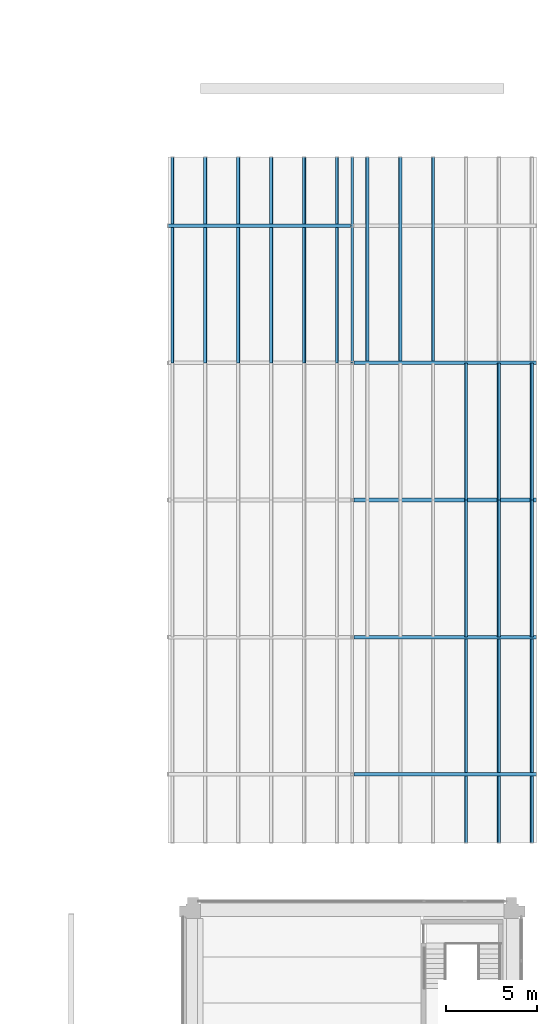
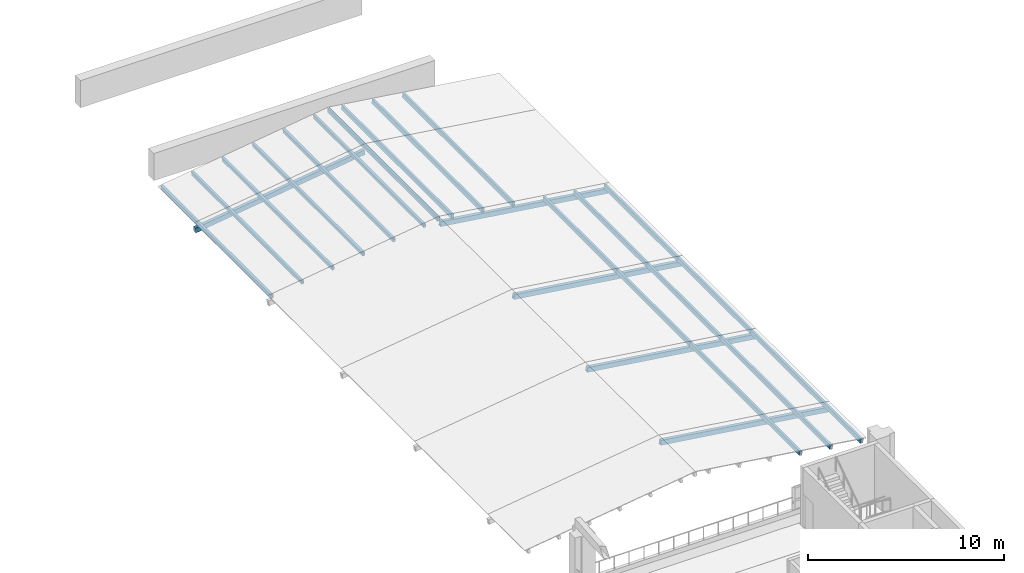
# One storey, part 18 of 52: 24 members.
"""IFC4 building model written with IfcOpenShell, lengths in metres."""

import ifcopenshell
import ifcopenshell.guid

model = None  # the IFC model being written
_history = None  # IfcOwnerHistory: only IFC2X3 demands one
_inside = {}  # id of a spatial element -> (the spatial element, [elements in it])
_under = {}  # id of a project, library or spatial element -> (it, [spatial elements below it])
_declared = {}  # id of a project -> (the project, [libraries it declares])
_typed = {}  # id of a type object -> (the type object, [elements of that type])
_made_of = {}  # id of a material, layer set ... -> (it, [elements and type objects made of it])


def new_model(schema):
    """Start an empty IFC model of exactly this schema.

    Asked for "IFC4X3", IfcOpenShell would pick the latest addendum, in which some entities
    have other attributes; the version numbers below select the first issue.
    IFC2X3 requires an IfcOwnerHistory on every rooted entity: one is made here for all.
    """
    global model, _history
    if schema == "IFC4X3":
        model = ifcopenshell.file(schema_version=(4, 3, 0, 0))
    else:
        model = ifcopenshell.file(schema=schema)
    _inside.clear()
    _under.clear()
    _declared.clear()
    _typed.clear()
    _made_of.clear()
    _history = None
    if model.schema == "IFC2X3":
        org = make("IfcOrganization", Name="unknown")
        user = make(
            "IfcPersonAndOrganization",
            ThePerson=make("IfcPerson", FamilyName="unknown"),
            TheOrganization=org,
        )
        app = make(
            "IfcApplication",
            ApplicationDeveloper=org,
            Version="unknown",
            ApplicationFullName="unknown",
            ApplicationIdentifier="unknown",
        )
        _history = make(
            "IfcOwnerHistory",
            OwningUser=user,
            OwningApplication=app,
            ChangeAction="ADDED",
            CreationDate=0,
        )
    return model


def make(cls, **values):
    """One entity of the class cls with the attributes given. An attribute that is None is left unset."""
    return model.create_entity(
        cls, **{name: value for name, value in values.items() if value is not None}
    )


def rooted(cls, **values):
    """An entity with a GlobalId (a new one), such as an element, a storey or a relation."""
    return make(cls, GlobalId=ifcopenshell.guid.new(), OwnerHistory=_history, **values)


def si_unit(unit_type, name, prefix=None):
    """IfcSIUnit, for example si_unit("LENGTHUNIT", "METRE", prefix="MILLI")."""
    return make("IfcSIUnit", UnitType=unit_type, Prefix=prefix, Name=name)


def assignment(units):
    """IfcUnitAssignment: the units of a project."""
    return None if units is None else make("IfcUnitAssignment", Units=units)


def point(xyz):
    """IfcCartesianPoint."""
    return None if xyz is None else make("IfcCartesianPoint", Coordinates=xyz)


def direction(xyz):
    """IfcDirection."""
    return None if xyz is None else make("IfcDirection", DirectionRatios=xyz)


def frame(location, z_axis=None, x_axis=None):
    """IfcAxis2Placement3D, a coordinate frame: its origin and axes. An axis left out is left unset."""
    return make(
        "IfcAxis2Placement3D",
        Location=point(location),
        Axis=direction(z_axis),
        RefDirection=direction(x_axis),
    )


def frame_2d(location, x_axis=None):
    """IfcAxis2Placement2D, a coordinate frame in the plane: its origin and x axis."""
    return make(
        "IfcAxis2Placement2D", Location=point(location), RefDirection=direction(x_axis)
    )


def origin():
    """The frame at (0, 0, 0) with its axes left unset."""
    return frame((0.0, 0.0, 0.0))


def origin_2d():
    """The frame at (0, 0) in the plane with its x axis left unset."""
    return frame_2d((0.0, 0.0))


def place(relative_to, where):
    """IfcLocalPlacement: puts the frame where relative to a parent placement (None: the world)."""
    return make(
        "IfcLocalPlacement", PlacementRelTo=relative_to, RelativePlacement=where
    )


def context(
    kind, dimensions, precision=None, world=None, true_north=None, identifier=None
):
    """IfcGeometricRepresentationContext, for example the 3D "Model" context."""
    return make(
        "IfcGeometricRepresentationContext",
        ContextIdentifier=identifier,
        ContextType=kind,
        CoordinateSpaceDimension=dimensions,
        Precision=precision,
        WorldCoordinateSystem=world,
        TrueNorth=true_north,
    )


def subcontext(parent, identifier, kind, view, scale=None):
    """IfcGeometricRepresentationSubContext, for example "Body" below "Model"."""
    return make(
        "IfcGeometricRepresentationSubContext",
        ContextIdentifier=identifier,
        ContextType=kind,
        ParentContext=parent,
        TargetScale=scale,
        TargetView=view,
    )


def project(units=None, contexts=None):
    """IfcProject with its units and contexts."""
    return rooted(
        "IfcProject",
        Name="project",
        RepresentationContexts=contexts,
        UnitsInContext=assignment(units),
    )


def spatial(cls, under=None, at=None, **own):
    """A site, building, storey or space (cls), placed at a placement, below another one or the project."""
    s = rooted(cls, ObjectPlacement=at, **own)
    if under is not None:
        _under.setdefault(under.id(), (under, []))[1].append(s)
    return s


def profile(cls, at=None, kind="AREA", **sizes):
    """A parametric profile (cls). Its sizes go by their IFC names, for example OverallWidth=200.0."""
    return make(cls, ProfileType=kind, Position=at, **sizes)


def hollow_rectangle(**sizes):
    """IfcRectangleHollowProfileDef."""
    return profile("IfcRectangleHollowProfileDef", **sizes)


def extrude(swept, where, along, depth):
    """IfcExtrudedAreaSolid: the profile swept, set in the frame where, extruded along a direction by depth."""
    return make(
        "IfcExtrudedAreaSolid",
        SweptArea=swept,
        Position=where,
        ExtrudedDirection=direction(along),
        Depth=depth,
    )


def shape(context_of_items, identifier, shape_type, items):
    """IfcShapeRepresentation: the items that make up one representation, for example the "Body"."""
    return make(
        "IfcShapeRepresentation",
        ContextOfItems=context_of_items,
        RepresentationIdentifier=identifier,
        RepresentationType=shape_type,
        Items=items,
    )


def material(Name=None, Category=None):
    """IfcMaterial."""
    return make("IfcMaterial", Name=Name, Category=Category)


def material_profile(
    of_material, cross_section, Name=None, Category=None, Priority=None
):
    """IfcMaterialProfile: a cross section and its material."""
    return make(
        "IfcMaterialProfile",
        Name=Name,
        Material=of_material,
        Profile=cross_section,
        Priority=Priority,
        Category=Category,
    )


def profile_set(profiles, Name=None, composite=None):
    """IfcMaterialProfileSet."""
    return make(
        "IfcMaterialProfileSet",
        Name=Name,
        MaterialProfiles=profiles,
        CompositeProfile=composite,
    )


def made_of(thing, what):
    """Note that an element or type object is made of a material, layer set ...; save() writes the relation."""
    if what is not None:
        _made_of.setdefault(what.id(), (what, []))[1].append(thing)
    return thing


def type_object(cls, material=None, **own):
    """A type object (cls), such as IfcWallType, which elements share."""
    return made_of(rooted(cls, **own), material)


def element(
    cls,
    number,
    at=None,
    inside=None,
    cuts=None,
    type_object=None,
    material=None,
    context=None,
    identifier="Body",
    shape_type=None,
    held_by="IfcProductDefinitionShape",
    body=None,
    shapes=None,
    **own,
):
    """One element of the class cls, such as IfcWall. Its Tag is "e" and its number.

    at: its placement. inside: the storey or other place that contains it. cuts: it is an
    opening in that element (IfcRelVoidsElement). A single representation is given by context,
    identifier, shape_type and body (its items); several are given by shapes. held_by: the class
    of the entity that holds the representations. save() writes the other relations.
    """
    e = rooted(cls, Tag="e%d" % number, ObjectPlacement=at, **own)
    if body is not None:
        shapes = [shape(context, identifier, shape_type, body)]
    if shapes is not None:
        e.Representation = make(held_by, Representations=shapes)
    if inside is not None:
        _inside.setdefault(inside.id(), (inside, []))[1].append(e)
    if cuts is not None:
        rooted(
            "IfcRelVoidsElement", RelatingBuildingElement=cuts, RelatedOpeningElement=e
        )
    if type_object is not None:
        _typed.setdefault(type_object.id(), (type_object, []))[1].append(e)
    return made_of(e, material)


def aggregate(whole, parts):
    """IfcRelAggregates: a whole, such as a stair, and the parts it consists of."""
    return rooted("IfcRelAggregates", RelatingObject=whole, RelatedObjects=parts)


def save(model, path):
    """Write the relations noted so far, then the file.

    IfcRelAggregates (storeys below a building ...), IfcRelContainedInSpatialStructure (elements
    in a storey), IfcRelDefinesByType, IfcRelAssociatesMaterial and IfcRelDeclares: one each for
    every whole, place, type object, material and project.
    """
    for whole, parts in _under.values():
        aggregate(whole, parts)
    for where, things in _inside.values():
        rooted(
            "IfcRelContainedInSpatialStructure",
            RelatedElements=things,
            RelatingStructure=where,
        )
    for kind, things in _typed.values():
        rooted("IfcRelDefinesByType", RelatedObjects=things, RelatingType=kind)
    for what, things in _made_of.values():
        rooted("IfcRelAssociatesMaterial", RelatedObjects=things, RelatingMaterial=what)
    for by, libraries in _declared.values():
        rooted("IfcRelDeclares", RelatingContext=by, RelatedDefinitions=libraries)
    model.write(path)


model = new_model("IFC4")

# Units and contexts
model_context = context("Model", 3, precision=1e-05, world=origin(), true_north=direction((0.0, 1.0)))
body_context = subcontext(model_context, "Body", "Model", "MODEL_VIEW")
ifc_project = project(units=[si_unit("LENGTHUNIT", "METRE"), si_unit("AREAUNIT", "SQUARE_METRE"), si_unit("VOLUMEUNIT", "CUBIC_METRE"), si_unit("PLANEANGLEUNIT", "RADIAN"), si_unit("MASSUNIT", "GRAM", prefix="KILO")], contexts=[model_context])

# Site, building, storey
site_placement = place(None, origin())
site = spatial("IfcSite", under=ifc_project, at=site_placement, CompositionType="ELEMENT")
building_placement = place(site_placement, origin())
building = spatial("IfcBuilding", under=site, at=building_placement, Name="Cour d'Honneur Mobility Palace", CompositionType="ELEMENT")
storey_placement = place(building_placement, frame((0.0, 0.0, 23.0)))
storey = spatial("IfcBuildingStorey", under=building, at=storey_placement, Name="L06", CompositionType="ELEMENT", Elevation=23.0)

# Members
ifc_material_1 = material(Name="Steel S355", Category="steel")
ifc_material_profile_1 = material_profile(ifc_material_1, hollow_rectangle(XDim=0.14990234375, YDim=0.25, WallThickness=0.010009765625, at=origin_2d()), Name="RHS 250x150x10")
ifc_profile_set_1 = profile_set([ifc_material_profile_1], Name="Steel S355")
member_type_1 = type_object("IfcMemberType", Name="Terrace purlin RHS 250x150x10", PredefinedType="PURLIN", material=ifc_profile_set_1)
for number, where, z_axis, x_axis, name in (
    (1, (143.77490234375, 92.39990234375, 0.55419921875), (0.0, 1.0, 0.0), (-0.990349673475, 0.0, -0.138591212736), "Terrace purlin TU-S1.4"),
    (2, (145.574951171875, 92.39990234375, 0.80615234375), (0.0, 1.0, 0.0), (-0.990349673475, 0.0, -0.138591212736), "Terrace purlin TU-S2.4"),
    (3, (147.375, 92.39990234375, 1.05810546875), (0.0, 1.0, 0.0), (-0.990349673475, 0.0, -0.138591212736), "Terrace purlin TU-S3.4"),
    (4, (149.175048828125, 92.39990234375, 1.309814453125), (0.0, 1.0, 0.0), (-0.990349673475, 0.0, -0.138591212736), "Terrace purlin TU-S4.4"),
    (5, (150.97509765625, 92.39990234375, 1.561767578125), (0.0, 1.0, 0.0), (-0.990349673475, 0.0, -0.138591212736), "Terrace purlin TU-S5.4"),
    (6, (152.77490234375, 92.39990234375, 1.813720703125), (0.0, 1.0, 0.0), (-0.990349673475, 0.0, -0.138591212736), "Terrace purlin TU-S6.4"),
    (7, (163.425048828125, 66.14990234375, 0.55419921875), (0.0, 1.0, 0.0), (-0.990349673475, 0.0, 0.138591212736), "Terrace purlin TU-S7.1"),
):
    element("IfcMember", number, at=place(storey_placement, frame(where, z_axis=z_axis, x_axis=x_axis)), inside=storey, type_object=member_type_1, Name=name, PredefinedType="PURLIN", context=body_context, shape_type="SweptSolid", body=[
        extrude(hollow_rectangle(XDim=0.14990234375, YDim=0.25, WallThickness=0.010009765625, at=origin_2d()), origin(), (0.0, 0.0, 1.0), 11.25),
    ])
for number, where, z_axis, x_axis, name in (
    (8, (163.425048828125, 77.39990234375, 0.55419921875), (0.0, 1.0, 0.0), (-0.990349673475, 0.0, 0.138591212736), "Terrace purlin TU-S7.2"),
    (9, (163.425048828125, 84.89990234375, 0.55419921875), (0.0, 1.0, 0.0), (-0.990349673475, 0.0, 0.138591212736), "Terrace purlin TU-S7.3"),
):
    element("IfcMember", number, at=place(storey_placement, frame(where, z_axis=z_axis, x_axis=x_axis)), inside=storey, type_object=member_type_1, Name=name, PredefinedType="PURLIN", context=body_context, shape_type="SweptSolid", body=[
        extrude(hollow_rectangle(XDim=0.14990234375, YDim=0.25, WallThickness=0.010009765625, at=origin_2d()), origin(), (0.0, 0.0, 1.0), 7.5),
    ])
member_1_placement = place(storey_placement, frame((161.625, 66.14990234375, 0.80615234375), z_axis=(0.0, 1.0, 0.0), x_axis=(-0.990349673475, 0.0, 0.138591212736)))
element("IfcMember", 10, at=member_1_placement, inside=storey, type_object=member_type_1, Name="Terrace purlin TU-S8.1", PredefinedType="PURLIN", context=body_context, shape_type="SweptSolid", body=[
    extrude(hollow_rectangle(XDim=0.14990234375, YDim=0.25, WallThickness=0.010009765625, at=origin_2d()), origin(), (0.0, 0.0, 1.0), 11.25),
])
for number, where, z_axis, x_axis, name in (
    (11, (161.625, 77.39990234375, 0.80615234375), (0.0, 1.0, 0.0), (-0.990349673475, 0.0, 0.138591212736), "Terrace purlin TU-S8.2"),
    (12, (161.625, 84.89990234375, 0.80615234375), (0.0, 1.0, 0.0), (-0.990349673475, 0.0, 0.138591212736), "Terrace purlin TU-S8.3"),
):
    element("IfcMember", number, at=place(storey_placement, frame(where, z_axis=z_axis, x_axis=x_axis)), inside=storey, type_object=member_type_1, Name=name, PredefinedType="PURLIN", context=body_context, shape_type="SweptSolid", body=[
        extrude(hollow_rectangle(XDim=0.14990234375, YDim=0.25, WallThickness=0.010009765625, at=origin_2d()), origin(), (0.0, 0.0, 1.0), 7.5),
    ])
member_2_placement = place(storey_placement, frame((159.824951171875, 66.14990234375, 1.05810546875), z_axis=(0.0, 1.0, 0.0), x_axis=(-0.990349673475, 0.0, 0.138591212736)))
element("IfcMember", 13, at=member_2_placement, inside=storey, type_object=member_type_1, Name="Terrace purlin TU-S9.1", PredefinedType="PURLIN", context=body_context, shape_type="SweptSolid", body=[
    extrude(hollow_rectangle(XDim=0.14990234375, YDim=0.25, WallThickness=0.010009765625, at=origin_2d()), origin(), (0.0, 0.0, 1.0), 11.25),
])
for number, where, z_axis, x_axis, name in (
    (14, (159.824951171875, 77.39990234375, 1.05810546875), (0.0, 1.0, 0.0), (-0.990349673475, 0.0, 0.138591212736), "Terrace purlin TU-S9.2"),
    (15, (159.824951171875, 84.89990234375, 1.05810546875), (0.0, 1.0, 0.0), (-0.990349673475, 0.0, 0.138591212736), "Terrace purlin TU-S9.3"),
):
    element("IfcMember", number, at=place(storey_placement, frame(where, z_axis=z_axis, x_axis=x_axis)), inside=storey, type_object=member_type_1, Name=name, PredefinedType="PURLIN", context=body_context, shape_type="SweptSolid", body=[
        extrude(hollow_rectangle(XDim=0.14990234375, YDim=0.25, WallThickness=0.010009765625, at=origin_2d()), origin(), (0.0, 0.0, 1.0), 7.5),
    ])
for number, where, z_axis, x_axis, name in (
    (16, (158.02490234375, 92.39990234375, 1.309814453125), (0.0, 1.0, 0.0), (-0.990349673475, 0.0, 0.138591212736), "Terrace purlin TU-S10.4"),
    (17, (156.22509765625, 92.39990234375, 1.561767578125), (0.0, 1.0, 0.0), (-0.990349673475, 0.0, 0.138591212736), "Terrace purlin TU-S11.4"),
    (18, (154.425048828125, 92.39990234375, 1.813720703125), (0.0, 1.0, 0.0), (-0.990349673475, 0.0, 0.138591212736), "Terrace purlin TU-S12.4"),
    (19, (153.60009765625, 92.39990234375, 1.927978515625), (0.0, 1.0, 0.0), (-1.0, 0.0, 0.0), "Terrace purlin TU-S13.4"),
):
    element("IfcMember", number, at=place(storey_placement, frame(where, z_axis=z_axis, x_axis=x_axis)), inside=storey, type_object=member_type_1, Name=name, PredefinedType="PURLIN", context=body_context, shape_type="SweptSolid", body=[
        extrude(hollow_rectangle(XDim=0.14990234375, YDim=0.25, WallThickness=0.010009765625, at=origin_2d()), origin(), (0.0, 0.0, 1.0), 11.25),
    ])
ifc_material_2 = material(Name="Steel S355", Category="steel")
ifc_material_profile_2 = material_profile(ifc_material_2, hollow_rectangle(XDim=0.199951171875, YDim=0.300048828125, WallThickness=0.012451171875, at=origin_2d()), Name="RHS 300x200x12.5")
ifc_profile_set_2 = profile_set([ifc_material_profile_2], Name="Steel S355")
member_type_2 = type_object("IfcMemberType", Name="Terrace rafter RHS 300x200x12.5", PredefinedType="RAFTER", material=ifc_profile_set_2)
for number, where, z_axis, x_axis, name in (
    (20, (153.675048828125, 69.89990234375, 1.640869140625), (0.990349712833, 0.0, -0.138590931493), (0.0, 1.0, 0.0), "Terrace rafter TF-S1E"),
    (21, (153.675048828125, 77.39990234375, 1.640869140625), (0.990349712833, 0.0, -0.138590931493), (0.0, 1.0, 0.0), "Terrace rafter TF-S2E"),
    (22, (153.675048828125, 84.89990234375, 1.640869140625), (0.990349712833, 0.0, -0.138590931493), (0.0, 1.0, 0.0), "Terrace rafter TF-S3E"),
    (23, (153.675048828125, 92.39990234375, 1.640869140625), (0.990349712833, 0.0, -0.138590931493), (0.0, 1.0, 0.0), "Terrace rafter TF-S4E"),
    (24, (143.52490234375, 99.89990234375, 0.241455078125), (0.990349712833, 0.0, 0.138590931493), (0.0, 1.0, 0.0), "Terrace rafter TF-S5W"),
):
    element("IfcMember", number, at=place(storey_placement, frame(where, z_axis=z_axis, x_axis=x_axis)), inside=storey, type_object=member_type_2, Name=name, PredefinedType="RAFTER", context=body_context, shape_type="SweptSolid", body=[
        extrude(hollow_rectangle(XDim=0.199951171875, YDim=0.300048828125, WallThickness=0.012451171875, at=origin_2d()), origin(), (0.0, 0.0, 1.0), 10.097412109375),
    ])

save(model, "model.ifc")
